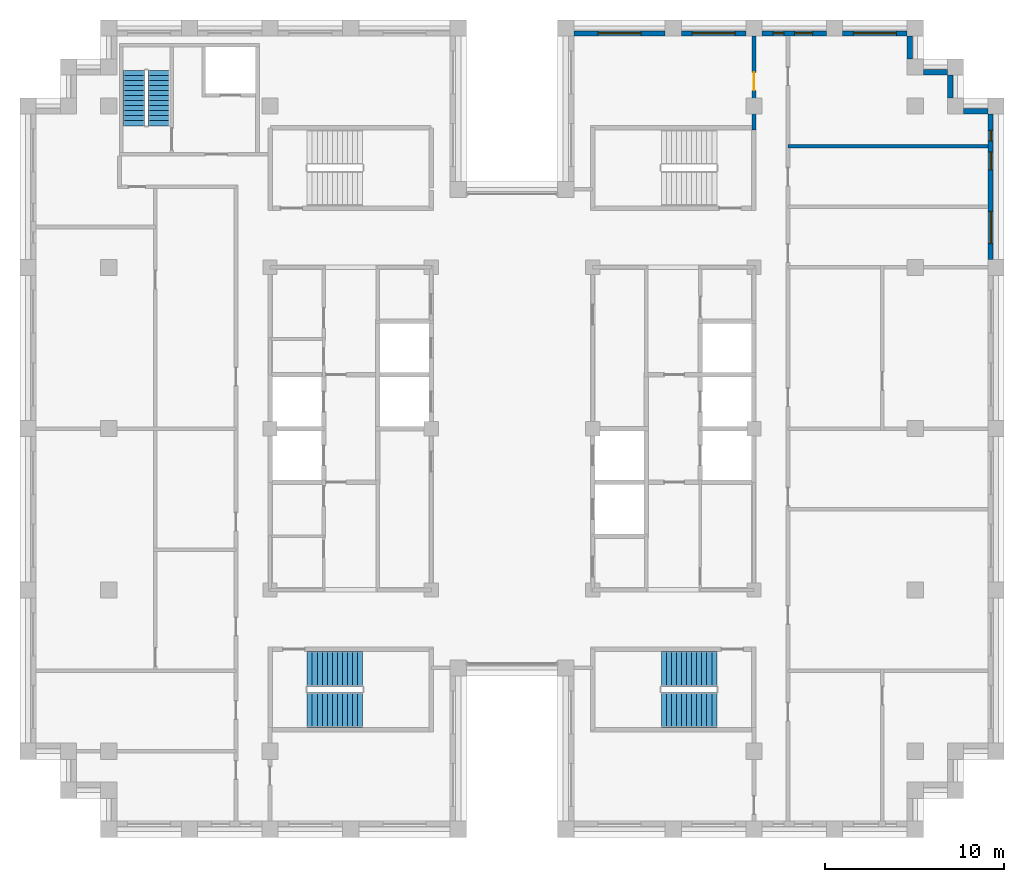
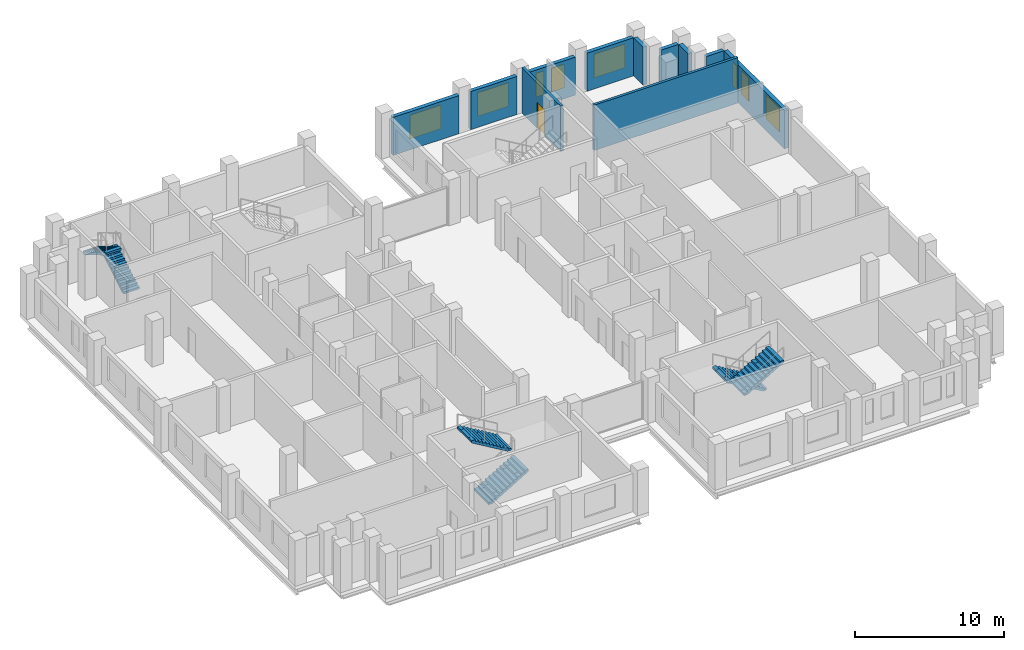
# One storey, part 11 of 13: 11 walls, 8 windows, 6 stair flights, 1 door, 9 openings, 3 elements without a shape of their own.
"""IFC4 building model written with IfcOpenShell, lengths in metres."""

from ifc_helpers import new_model, si_unit, direction, frame, frame_2d, origin, place, context, subcontext, project, spatial, polyline, rectangle, outline, extrude, material, layer, layer_set, type_object, element, fill, aggregate, save


model = new_model("IFC4")

# Units and contexts
model_context = context("Model", 3, precision=1e-05, world=origin(), true_north=direction((0.0, 1.0)))
body_context = subcontext(model_context, "Body", "Model", "MODEL_VIEW")
ifc_project = project(units=[si_unit("LENGTHUNIT", "METRE"), si_unit("AREAUNIT", "SQUARE_METRE"), si_unit("VOLUMEUNIT", "CUBIC_METRE"), si_unit("PLANEANGLEUNIT", "RADIAN"), si_unit("MASSUNIT", "GRAM", prefix="KILO")], contexts=[model_context])

# Site, building, storey
site_placement = place(None, origin())
site = spatial("IfcSite", under=ifc_project, at=site_placement, CompositionType="ELEMENT")
building_placement = place(site_placement, origin())
building = spatial("IfcBuilding", under=site, at=building_placement, Name="Corbelhall Arena Tower", CompositionType="ELEMENT")
storey_placement = place(building_placement, frame((0.0, 0.0, 262.0)))
storey = spatial("IfcBuildingStorey", under=building, at=storey_placement, Name="L56", CompositionType="ELEMENT", Elevation=262.0)

# Wall, openings, windows
ifc_material_1 = material(Name="Precast concrete C40/50 with granite facing", Category="masonry")
ifc_layer_1 = layer(ifc_material_1, 0.300048828125)
ifc_layer_set_1 = layer_set([ifc_layer_1], Name="EV-IW1 Infill panel 300")
wall_type_1 = type_object("IfcWallType", Name="EV-IW1 Infill panel 300", PredefinedType="SOLIDWALL", material=ifc_layer_set_1)
wall_1_placement = place(storey_placement, frame((26.699951171875, 9.449951171875, 0.0), z_axis=(0.0, 0.0, 1.0), x_axis=(0.0, 1.0, 0.0)))
wall_1 = element("IfcWall", 1, at=wall_1_placement, inside=storey, type_object=wall_type_1, Name="Infill panel IW1", PredefinedType="SOLIDWALL", context=body_context, shape_type="SweptSolid", body=[
    extrude(rectangle(XDim=8.10009765625, YDim=0.300048828125, at=frame_2d((4.050048828125, 0.0))), origin(), (0.0, 0.0, 1.0), 3.1201171875),
])
opening_1_placement = place(wall_1_placement, frame((0.875, 0.0, 0.800048828125)))
opening_1 = element("IfcOpeningElement", 2, at=opening_1_placement, cuts=wall_1, Name="Opening WN8", PredefinedType="OPENING", context=body_context, shape_type="SweptSolid", body=[
    extrude(rectangle(XDim=1.800048828125, YDim=1.949951171875, at=frame_2d((0.89990234375, 0.97509765625))), frame((0.0, 0.14990234375, 0.0), z_axis=(0.0, -1.0, 0.0), x_axis=(1.0, 0.0, 0.0)), (0.0, 0.0, 1.0), 0.300048828125),
])
opening_2_placement = place(wall_1_placement, frame((4.987548828125, 0.0, 0.800048828125)))
opening_2 = element("IfcOpeningElement", 3, at=opening_2_placement, cuts=wall_1, Name="Opening WN6", PredefinedType="OPENING", context=body_context, shape_type="SweptSolid", body=[
    extrude(rectangle(XDim=1.0, YDim=1.949951171875, at=frame_2d((0.5, 0.97509765625))), frame((0.0, 0.14990234375, 0.0), z_axis=(0.0, -1.0, 0.0), x_axis=(1.0, 0.0, 0.0)), (0.0, 0.0, 1.0), 0.300048828125),
])
opening_3_placement = place(wall_1_placement, frame((6.58740234375, 0.0, 0.800048828125)))
opening_3 = element("IfcOpeningElement", 4, at=opening_3_placement, cuts=wall_1, Name="Opening WN5", PredefinedType="OPENING", context=body_context, shape_type="SweptSolid", body=[
    extrude(rectangle(XDim=0.60009765625, YDim=1.949951171875, at=frame_2d((0.300048828125, 0.97509765625))), frame((0.0, 0.14990234375, 0.0), z_axis=(0.0, -1.0, 0.0), x_axis=(1.0, 0.0, 0.0)), (0.0, 0.0, 1.0), 0.300048828125),
])
ifc_material_2 = material(Name="Aluminium black anodised", Category="aluminium")
window_type_1 = type_object("IfcWindowType", Name="EV-WN5 Office window 600", PartitioningType="SINGLE_PANEL", PredefinedType="WINDOW", material=ifc_material_2)
window_1_placement = place(opening_3_placement, origin())
window_1 = element("IfcWindow", 5, at=window_1_placement, inside=storey, type_object=window_type_1, Name="Window WN5", OverallHeight=1.949951171875, OverallWidth=0.60009765625, PartitioningType="SINGLE_PANEL", PredefinedType="WINDOW", context=body_context, shape_type="SweptSolid", body=[
    extrude(rectangle(XDim=0.60009765625, YDim=1.949951171875, at=frame_2d((0.300048828125, 0.97509765625))), frame((0.0, 0.030029296875, 0.0), z_axis=(0.0, -1.0, 0.0), x_axis=(1.0, 0.0, 0.0)), (0.0, 0.0, 1.0), 0.06005859375),
])
fill(opening_3, window_1)
window_type_2 = type_object("IfcWindowType", Name="EV-WN6 Office window 1000", PartitioningType="SINGLE_PANEL", PredefinedType="WINDOW", material=ifc_material_2)
window_2_placement = place(opening_2_placement, origin())
window_2 = element("IfcWindow", 6, at=window_2_placement, inside=storey, type_object=window_type_2, Name="Window WN6", OverallHeight=1.949951171875, OverallWidth=1.0, PartitioningType="SINGLE_PANEL", PredefinedType="WINDOW", context=body_context, shape_type="SweptSolid", body=[
    extrude(rectangle(XDim=1.0, YDim=1.949951171875, at=frame_2d((0.5, 0.97509765625))), frame((0.0, 0.030029296875, 0.0), z_axis=(0.0, -1.0, 0.0), x_axis=(1.0, 0.0, 0.0)), (0.0, 0.0, 1.0), 0.06005859375),
])
fill(opening_2, window_2)
window_type_3 = type_object("IfcWindowType", Name="EV-WN8 Office window 1800", PartitioningType="SINGLE_PANEL", PredefinedType="WINDOW", material=ifc_material_2)
window_3_placement = place(opening_1_placement, origin())
window_3 = element("IfcWindow", 7, at=window_3_placement, inside=storey, type_object=window_type_3, Name="Window WN8", OverallHeight=1.949951171875, OverallWidth=1.800048828125, PartitioningType="SINGLE_PANEL", PredefinedType="WINDOW", context=body_context, shape_type="SweptSolid", body=[
    extrude(rectangle(XDim=1.800048828125, YDim=1.949951171875, at=frame_2d((0.89990234375, 0.97509765625))), frame((0.0, 0.030029296875, 0.0), z_axis=(0.0, -1.0, 0.0), x_axis=(1.0, 0.0, 0.0)), (0.0, 0.0, 1.0), 0.06005859375),
])
fill(opening_1, window_3)

# Walls
wall_2_placement = place(storey_placement, frame((26.550048828125, 17.699951171875, 0.0), z_axis=(0.0, 0.0, 1.0), x_axis=(-1.0, 0.0, 0.0)))
element("IfcWall", 8, at=wall_2_placement, inside=storey, type_object=wall_type_1, Name="Infill panel IW1", PredefinedType="SOLIDWALL", context=body_context, shape_type="SweptSolid", body=[
    extrude(rectangle(XDim=1.35009765625, YDim=0.300048828125, at=frame_2d((0.675048828125, 0.0))), origin(), (0.0, 0.0, 1.0), 3.1201171875),
])
wall_3_placement = place(storey_placement, frame((24.449951171875, 18.449951171875, 0.0), z_axis=(0.0, 0.0, 1.0), x_axis=(0.0, 1.0, 0.0)))
element("IfcWall", 9, at=wall_3_placement, inside=storey, type_object=wall_type_1, Name="Infill panel IW1", PredefinedType="SOLIDWALL", context=body_context, shape_type="SweptSolid", body=[
    extrude(rectangle(XDim=1.275146484375, YDim=0.300048828125, at=frame_2d((0.6376953125, 0.0))), origin(), (0.0, 0.0, 1.0), 3.1201171875),
])
wall_4_placement = place(storey_placement, frame((24.300048828125, 19.875, 0.0), z_axis=(0.0, 0.0, 1.0), x_axis=(-1.0, 0.0, 0.0)))
element("IfcWall", 10, at=wall_4_placement, inside=storey, type_object=wall_type_1, Name="Infill panel IW1", PredefinedType="SOLIDWALL", context=body_context, shape_type="SweptSolid", body=[
    extrude(rectangle(XDim=1.35009765625, YDim=0.300048828125, at=frame_2d((0.675048828125, 0.0))), origin(), (0.0, 0.0, 1.0), 3.1201171875),
])
wall_5_placement = place(storey_placement, frame((22.199951171875, 20.625, 0.0), z_axis=(0.0, 0.0, 1.0), x_axis=(0.0, 1.0, 0.0)))
element("IfcWall", 11, at=wall_5_placement, inside=storey, type_object=wall_type_1, Name="Infill panel IW1", PredefinedType="SOLIDWALL", context=body_context, shape_type="SweptSolid", body=[
    extrude(rectangle(XDim=1.27490234375, YDim=0.300048828125, at=frame_2d((0.637451171875, 0.0))), origin(), (0.0, 0.0, 1.0), 3.1201171875),
])

# Wall, opening, window
wall_6_placement = place(storey_placement, frame((22.050048828125, 22.050048828125, 0.0), z_axis=(0.0, 0.0, 1.0), x_axis=(-1.0, 0.0, 0.0)))
wall_6 = element("IfcWall", 12, at=wall_6_placement, inside=storey, type_object=wall_type_1, Name="Infill panel IW1", PredefinedType="SOLIDWALL", context=body_context, shape_type="SweptSolid", body=[
    extrude(rectangle(XDim=3.60009765625, YDim=0.300048828125, at=frame_2d((1.800048828125, 0.0))), origin(), (0.0, 0.0, 1.0), 3.1201171875),
])
opening_4_placement = place(wall_6_placement, frame((0.60009765625, 0.0, 0.800048828125)))
opening_4 = element("IfcOpeningElement", 13, at=opening_4_placement, cuts=wall_6, Name="Opening WN1", PredefinedType="OPENING", context=body_context, shape_type="SweptSolid", body=[
    extrude(rectangle(XDim=2.39990234375, YDim=1.949951171875, at=frame_2d((1.199951171875, 0.97509765625))), frame((0.0, 0.14990234375, 0.0), z_axis=(0.0, -1.0, 0.0), x_axis=(1.0, 0.0, 0.0)), (0.0, 0.0, 1.0), 0.300048828125),
])
window_type_4 = type_object("IfcWindowType", Name="EV-WN1 Office window", PartitioningType="SINGLE_PANEL", PredefinedType="WINDOW", material=ifc_material_2)
window_4_placement = place(opening_4_placement, origin())
window_4 = element("IfcWindow", 14, at=window_4_placement, inside=storey, type_object=window_type_4, Name="Window WN1", OverallHeight=1.949951171875, OverallWidth=2.39990234375, PartitioningType="SINGLE_PANEL", PredefinedType="WINDOW", context=body_context, shape_type="SweptSolid", body=[
    extrude(rectangle(XDim=2.39990234375, YDim=1.949951171875, at=frame_2d((1.199951171875, 0.97509765625))), frame((0.0, 0.030029296875, 0.0), z_axis=(0.0, -1.0, 0.0), x_axis=(1.0, 0.0, 0.0)), (0.0, 0.0, 1.0), 0.06005859375),
])
fill(opening_4, window_4)

# Wall, openings, windows
wall_7_placement = place(storey_placement, frame((17.550048828125, 22.050048828125, 0.0), z_axis=(0.0, 0.0, 1.0), x_axis=(-1.0, 0.0, 0.0)))
wall_7 = element("IfcWall", 15, at=wall_7_placement, inside=storey, type_object=wall_type_1, Name="Infill panel IW1", PredefinedType="SOLIDWALL", context=body_context, shape_type="SweptSolid", body=[
    extrude(rectangle(XDim=3.60009765625, YDim=0.300048828125, at=frame_2d((1.800048828125, 0.0))), origin(), (0.0, 0.0, 1.0), 3.1201171875),
])
opening_5_placement = place(wall_7_placement, frame((0.77490234375, 0.0, 0.800048828125)))
opening_5 = element("IfcOpeningElement", 16, at=opening_5_placement, cuts=wall_7, Name="Opening WN6", PredefinedType="OPENING", context=body_context, shape_type="SweptSolid", body=[
    extrude(rectangle(XDim=1.0, YDim=1.949951171875, at=frame_2d((0.5, 0.97509765625))), frame((0.0, 0.14990234375, 0.0), z_axis=(0.0, -1.0, 0.0), x_axis=(1.0, 0.0, 0.0)), (0.0, 0.0, 1.0), 0.300048828125),
])
opening_6_placement = place(wall_7_placement, frame((2.375, 0.0, 0.800048828125)))
opening_6 = element("IfcOpeningElement", 17, at=opening_6_placement, cuts=wall_7, Name="Opening WN5", PredefinedType="OPENING", context=body_context, shape_type="SweptSolid", body=[
    extrude(rectangle(XDim=0.60009765625, YDim=1.949951171875, at=frame_2d((0.300048828125, 0.97509765625))), frame((0.0, 0.14990234375, 0.0), z_axis=(0.0, -1.0, 0.0), x_axis=(1.0, 0.0, 0.0)), (0.0, 0.0, 1.0), 0.300048828125),
])
window_5_placement = place(opening_6_placement, origin())
window_5 = element("IfcWindow", 18, at=window_5_placement, inside=storey, type_object=window_type_1, Name="Window WN5", OverallHeight=1.949951171875, OverallWidth=0.60009765625, PartitioningType="SINGLE_PANEL", PredefinedType="WINDOW", context=body_context, shape_type="SweptSolid", body=[
    extrude(rectangle(XDim=0.60009765625, YDim=1.949951171875, at=frame_2d((0.300048828125, 0.97509765625))), frame((0.0, 0.030029296875, 0.0), z_axis=(0.0, -1.0, 0.0), x_axis=(1.0, 0.0, 0.0)), (0.0, 0.0, 1.0), 0.06005859375),
])
fill(opening_6, window_5)
window_6_placement = place(opening_5_placement, origin())
window_6 = element("IfcWindow", 19, at=window_6_placement, inside=storey, type_object=window_type_2, Name="Window WN6", OverallHeight=1.949951171875, OverallWidth=1.0, PartitioningType="SINGLE_PANEL", PredefinedType="WINDOW", context=body_context, shape_type="SweptSolid", body=[
    extrude(rectangle(XDim=1.0, YDim=1.949951171875, at=frame_2d((0.5, 0.97509765625))), frame((0.0, 0.030029296875, 0.0), z_axis=(0.0, -1.0, 0.0), x_axis=(1.0, 0.0, 0.0)), (0.0, 0.0, 1.0), 0.06005859375),
])
fill(opening_5, window_6)

# Wall, opening, window
wall_8_placement = place(storey_placement, frame((13.050048828125, 22.050048828125, 0.0), z_axis=(0.0, 0.0, 1.0), x_axis=(-1.0, 0.0, 0.0)))
wall_8 = element("IfcWall", 20, at=wall_8_placement, inside=storey, type_object=wall_type_1, Name="Infill panel IW1", PredefinedType="SOLIDWALL", context=body_context, shape_type="SweptSolid", body=[
    extrude(rectangle(XDim=3.60009765625, YDim=0.300048828125, at=frame_2d((1.800048828125, 0.0))), origin(), (0.0, 0.0, 1.0), 3.1201171875),
])
opening_7_placement = place(wall_8_placement, frame((0.60009765625, 0.0, 0.800048828125)))
opening_7 = element("IfcOpeningElement", 21, at=opening_7_placement, cuts=wall_8, Name="Opening WN1", PredefinedType="OPENING", context=body_context, shape_type="SweptSolid", body=[
    extrude(rectangle(XDim=2.39990234375, YDim=1.949951171875, at=frame_2d((1.199951171875, 0.97509765625))), frame((0.0, 0.14990234375, 0.0), z_axis=(0.0, -1.0, 0.0), x_axis=(1.0, 0.0, 0.0)), (0.0, 0.0, 1.0), 0.300048828125),
])
window_7_placement = place(opening_7_placement, origin())
window_7 = element("IfcWindow", 22, at=window_7_placement, inside=storey, type_object=window_type_4, Name="Window WN1", OverallHeight=1.949951171875, OverallWidth=2.39990234375, PartitioningType="SINGLE_PANEL", PredefinedType="WINDOW", context=body_context, shape_type="SweptSolid", body=[
    extrude(rectangle(XDim=2.39990234375, YDim=1.949951171875, at=frame_2d((1.199951171875, 0.97509765625))), frame((0.0, 0.030029296875, 0.0), z_axis=(0.0, -1.0, 0.0), x_axis=(1.0, 0.0, 0.0)), (0.0, 0.0, 1.0), 0.06005859375),
])
fill(opening_7, window_7)

wall_9_placement = place(storey_placement, frame((8.550048828125, 22.050048828125, 0.0), z_axis=(0.0, 0.0, 1.0), x_axis=(-1.0, 0.0, 0.0)))
wall_9 = element("IfcWall", 23, at=wall_9_placement, inside=storey, type_object=wall_type_1, Name="Infill panel IW1", PredefinedType="SOLIDWALL", context=body_context, shape_type="SweptSolid", body=[
    extrude(rectangle(XDim=5.10009765625, YDim=0.300048828125, at=frame_2d((2.550048828125, 0.0))), origin(), (0.0, 0.0, 1.0), 3.1201171875),
])
opening_8_placement = place(wall_9_placement, frame((1.35009765625, 0.0, 0.800048828125)))
opening_8 = element("IfcOpeningElement", 24, at=opening_8_placement, cuts=wall_9, Name="Opening WN1", PredefinedType="OPENING", context=body_context, shape_type="SweptSolid", body=[
    extrude(rectangle(XDim=2.39990234375, YDim=1.949951171875, at=frame_2d((1.199951171875, 0.97509765625))), frame((0.0, 0.14990234375, 0.0), z_axis=(0.0, -1.0, 0.0), x_axis=(1.0, 0.0, 0.0)), (0.0, 0.0, 1.0), 0.300048828125),
])
window_8_placement = place(opening_8_placement, origin())
window_8 = element("IfcWindow", 25, at=window_8_placement, inside=storey, type_object=window_type_4, Name="Window WN1", OverallHeight=1.949951171875, OverallWidth=2.39990234375, PartitioningType="SINGLE_PANEL", PredefinedType="WINDOW", context=body_context, shape_type="SweptSolid", body=[
    extrude(rectangle(XDim=2.39990234375, YDim=1.949951171875, at=frame_2d((1.199951171875, 0.97509765625))), frame((0.0, 0.030029296875, 0.0), z_axis=(0.0, -1.0, 0.0), x_axis=(1.0, 0.0, 0.0)), (0.0, 0.0, 1.0), 0.06005859375),
])
fill(opening_8, window_8)

# Wall, opening, door
ifc_material_3 = material(Name="Gypsum board on steel stud, acoustic", Category="steel")
ifc_layer_2 = layer(ifc_material_3, 0.199951171875)
ifc_layer_set_2 = layer_set([ifc_layer_2], Name="IN-W-DM200")
wall_type_2 = type_object("IfcWallType", Name="IN-W-DM200", PredefinedType="PARTITIONING", material=ifc_layer_set_2)
wall_10_placement = place(storey_placement, frame((13.5, 16.675048828125, 0.0), z_axis=(0.0, 0.0, 1.0), x_axis=(0.0, 1.0, 0.0)))
wall_10 = element("IfcWall", 26, at=wall_10_placement, inside=storey, type_object=wall_type_2, Name="Partition 015", PredefinedType="PARTITIONING", context=body_context, shape_type="SweptSolid", body=[
    extrude(rectangle(XDim=5.224853515625, YDim=0.199951171875, at=frame_2d((2.6123046875, 0.0))), origin(), (0.0, 0.0, 1.0), 3.719970703125),
])
opening_9_placement = place(wall_10_placement, frame((2.199951171875, 0.0, 0.0)))
opening_9 = element("IfcOpeningElement", 27, at=opening_9_placement, cuts=wall_10, Name="Opening 17019", PredefinedType="OPENING", context=body_context, shape_type="SweptSolid", body=[
    extrude(rectangle(XDim=1.0, YDim=2.10009765625, at=frame_2d((0.5, 1.050048828125))), frame((0.0, 0.10009765625, 0.0), z_axis=(0.0, -1.0, 0.0), x_axis=(1.0, 0.0, 0.0)), (0.0, 0.0, 1.0), 0.199951171875),
])
ifc_material_4 = material(Name="Steel door set", Category="steel")
door_type = type_object("IfcDoorType", Name="IN-D-SW100", OperationType="NOTDEFINED", PredefinedType="DOOR", material=ifc_material_4)
door_placement = place(opening_9_placement, origin())
door = element("IfcDoor", 28, at=door_placement, inside=storey, type_object=door_type, Name="Door 019", OperationType="SINGLE_SWING_RIGHT", OverallHeight=2.10009765625, OverallWidth=1.0, PredefinedType="DOOR", context=body_context, shape_type="SweptSolid", body=[
    extrude(rectangle(XDim=1.0, YDim=2.10009765625, at=frame_2d((0.5, 1.050048828125))), frame((0.0, 0.02490234375, 0.0), z_axis=(0.0, -1.0, 0.0), x_axis=(1.0, 0.0, 0.0)), (0.0, 0.0, 1.0), 0.050048828125),
])
fill(opening_9, door)

# Wall
wall_11_placement = place(storey_placement, frame((15.39990234375, 15.75, 0.0), z_axis=(0.0, 0.0, 1.0), x_axis=(1.0, 0.0, 0.0)))
element("IfcWall", 29, at=wall_11_placement, inside=storey, type_object=wall_type_2, Name="Partition 021", PredefinedType="PARTITIONING", context=body_context, shape_type="SweptSolid", body=[
    extrude(rectangle(XDim=11.150146484375, YDim=0.199951171875, at=frame_2d((5.5751953125, 0.0))), origin(), (0.0, 0.0, 1.0), 3.719970703125),
])

# Stair, stair flights
ifc_material_5 = material(Name="Concrete C40/50", Category="concrete")
stair_type = type_object("IfcStairType", Name="IN-ST-TOWER", PredefinedType="HALF_TURN_STAIR", material=ifc_material_5)
stair_1_placement = place(storey_placement, origin())
stair_1 = element("IfcStair", 30, at=stair_1_placement, inside=storey, type_object=stair_type, Name="L56 Exit stair ST2", PredefinedType="HALF_TURN_STAIR")
stair_flight_type = type_object("IfcStairFlightType", Name="IN-SFL-RC", PredefinedType="STRAIGHT", material=ifc_material_5)
stair_flight_1_placement = place(storey_placement, frame((-11.425048828125, -15.699951171875, 0.0), z_axis=(0.0, 0.0, 1.0), x_axis=(1.0, 0.0, 0.0)))
stair_flight_1 = element("IfcStairFlight", 31, at=stair_flight_1_placement, type_object=stair_flight_type, Name="ST2 flight 1", NumberOfRisers=12, NumberOfTreads=11, PredefinedType="STRAIGHT", RiserHeight=0.166666667, TreadLength=0.28, context=body_context, shape_type="SweptSolid", body=[
    extrude(outline(polyline([(0.0, 0.0), (0.0, 0.166748046875), (0.280029296875, 0.166748046875), (0.280029296875, 0.333251953125), (0.56005859375, 0.333251953125), (0.56005859375, 0.5), (0.840087890625, 0.5), (0.840087890625, 0.666748046875), (1.1201171875, 0.666748046875), (1.1201171875, 0.833251953125), (1.39990234375, 0.833251953125), (1.39990234375, 1.0), (1.679931640625, 1.0), (1.679931640625, 1.166748046875), (1.9599609375, 1.166748046875), (1.9599609375, 1.333251953125), (2.239990234375, 1.333251953125), (2.239990234375, 1.5), (2.52001953125, 1.5), (2.52001953125, 1.666748046875), (2.800048828125, 1.666748046875), (2.800048828125, 1.833251953125), (3.080078125, 1.833251953125), (3.080078125, 2.0), (3.080078125, 1.658935546875), (0.29296875, 0.0), (0.0, 0.0)])), frame((0.0, 0.97509765625, 0.0), z_axis=(0.0, -1.0, 0.0), x_axis=(1.0, 0.0, 0.0)), (0.0, 0.0, 1.0), 0.449951171875),
    extrude(outline(polyline([(0.0, 0.0), (0.0, 0.166748046875), (0.280029296875, 0.166748046875), (0.280029296875, 0.333251953125), (0.56005859375, 0.333251953125), (0.56005859375, 0.5), (0.840087890625, 0.5), (0.840087890625, 0.666748046875), (1.1201171875, 0.666748046875), (1.1201171875, 0.833251953125), (1.39990234375, 0.833251953125), (1.39990234375, 1.0), (1.679931640625, 1.0), (1.679931640625, 1.166748046875), (1.9599609375, 1.166748046875), (1.9599609375, 1.333251953125), (2.239990234375, 1.333251953125), (2.239990234375, 1.5), (2.52001953125, 1.5), (2.52001953125, 1.666748046875), (2.800048828125, 1.666748046875), (2.800048828125, 1.833251953125), (3.080078125, 1.833251953125), (3.080078125, 2.0), (3.080078125, 1.658935546875), (0.29296875, 0.0), (0.0, 0.0)])), frame((0.0, 0.52099609375, 0.0), z_axis=(0.0, -1.0, 0.0), x_axis=(1.0, 0.0, 0.0)), (0.0, 0.0, 1.0), 1.0419921875),
    extrude(outline(polyline([(0.0, 0.0), (0.0, 0.166748046875), (0.280029296875, 0.166748046875), (0.280029296875, 0.333251953125), (0.56005859375, 0.333251953125), (0.56005859375, 0.5), (0.840087890625, 0.5), (0.840087890625, 0.666748046875), (1.1201171875, 0.666748046875), (1.1201171875, 0.833251953125), (1.39990234375, 0.833251953125), (1.39990234375, 1.0), (1.679931640625, 1.0), (1.679931640625, 1.166748046875), (1.9599609375, 1.166748046875), (1.9599609375, 1.333251953125), (2.239990234375, 1.333251953125), (2.239990234375, 1.5), (2.52001953125, 1.5), (2.52001953125, 1.666748046875), (2.800048828125, 1.666748046875), (2.800048828125, 1.833251953125), (3.080078125, 1.833251953125), (3.080078125, 2.0), (3.080078125, 1.658935546875), (0.29296875, 0.0), (0.0, 0.0)])), frame((0.0, -0.52490234375, 0.0), z_axis=(0.0, -1.0, 0.0), x_axis=(1.0, 0.0, 0.0)), (0.0, 0.0, 1.0), 0.449951171875),
])
stair_flight_2_placement = place(storey_placement, frame((-8.344970703125, -13.39990234375, 2.0), z_axis=(0.0, 0.0, 1.0), x_axis=(-1.0, 0.0, 0.0)))
stair_flight_2 = element("IfcStairFlight", 32, at=stair_flight_2_placement, type_object=stair_flight_type, Name="ST2 flight 2", NumberOfRisers=12, NumberOfTreads=11, PredefinedType="STRAIGHT", RiserHeight=0.166666667, TreadLength=0.28, context=body_context, shape_type="SweptSolid", body=[
    extrude(outline(polyline([(0.0, 0.0), (0.0, 0.166748046875), (0.280029296875, 0.166748046875), (0.280029296875, 0.333251953125), (0.56005859375, 0.333251953125), (0.56005859375, 0.5), (0.840087890625, 0.5), (0.840087890625, 0.666748046875), (1.1201171875, 0.666748046875), (1.1201171875, 0.833251953125), (1.39990234375, 0.833251953125), (1.39990234375, 1.0), (1.679931640625, 1.0), (1.679931640625, 1.166748046875), (1.9599609375, 1.166748046875), (1.9599609375, 1.333251953125), (2.239990234375, 1.333251953125), (2.239990234375, 1.5), (2.52001953125, 1.5), (2.52001953125, 1.666748046875), (2.800048828125, 1.666748046875), (2.800048828125, 1.833251953125), (3.080078125, 1.833251953125), (3.080078125, 2.0), (3.080078125, 1.658935546875), (0.29296875, 0.0), (0.0, 0.0)])), frame((0.0, 0.97509765625, 0.0), z_axis=(0.0, -1.0, 0.0), x_axis=(1.0, 0.0, 0.0)), (0.0, 0.0, 1.0), 0.449951171875),
    extrude(outline(polyline([(0.0, 0.0), (0.0, 0.166748046875), (0.280029296875, 0.166748046875), (0.280029296875, 0.333251953125), (0.56005859375, 0.333251953125), (0.56005859375, 0.5), (0.840087890625, 0.5), (0.840087890625, 0.666748046875), (1.1201171875, 0.666748046875), (1.1201171875, 0.833251953125), (1.39990234375, 0.833251953125), (1.39990234375, 1.0), (1.679931640625, 1.0), (1.679931640625, 1.166748046875), (1.9599609375, 1.166748046875), (1.9599609375, 1.333251953125), (2.239990234375, 1.333251953125), (2.239990234375, 1.5), (2.52001953125, 1.5), (2.52001953125, 1.666748046875), (2.800048828125, 1.666748046875), (2.800048828125, 1.833251953125), (3.080078125, 1.833251953125), (3.080078125, 2.0), (3.080078125, 1.658935546875), (0.29296875, 0.0), (0.0, 0.0)])), frame((0.0, 0.52099609375, 0.0), z_axis=(0.0, -1.0, 0.0), x_axis=(1.0, 0.0, 0.0)), (0.0, 0.0, 1.0), 1.0419921875),
    extrude(outline(polyline([(0.0, 0.0), (0.0, 0.166748046875), (0.280029296875, 0.166748046875), (0.280029296875, 0.333251953125), (0.56005859375, 0.333251953125), (0.56005859375, 0.5), (0.840087890625, 0.5), (0.840087890625, 0.666748046875), (1.1201171875, 0.666748046875), (1.1201171875, 0.833251953125), (1.39990234375, 0.833251953125), (1.39990234375, 1.0), (1.679931640625, 1.0), (1.679931640625, 1.166748046875), (1.9599609375, 1.166748046875), (1.9599609375, 1.333251953125), (2.239990234375, 1.333251953125), (2.239990234375, 1.5), (2.52001953125, 1.5), (2.52001953125, 1.666748046875), (2.800048828125, 1.666748046875), (2.800048828125, 1.833251953125), (3.080078125, 1.833251953125), (3.080078125, 2.0), (3.080078125, 1.658935546875), (0.29296875, 0.0), (0.0, 0.0)])), frame((0.0, -0.52490234375, 0.0), z_axis=(0.0, -1.0, 0.0), x_axis=(1.0, 0.0, 0.0)), (0.0, 0.0, 1.0), 0.449951171875),
])
aggregate(stair_1, [stair_flight_1, stair_flight_2])

stair_2_placement = place(storey_placement, origin())
stair_2 = element("IfcStair", 33, at=stair_2_placement, inside=storey, type_object=stair_type, Name="L56 Exit stair ST4", PredefinedType="HALF_TURN_STAIR")
stair_flight_3_placement = place(storey_placement, frame((11.425048828125, -13.39990234375, 0.0), z_axis=(0.0, 0.0, 1.0), x_axis=(-1.0, 0.0, 0.0)))
stair_flight_3 = element("IfcStairFlight", 34, at=stair_flight_3_placement, type_object=stair_flight_type, Name="ST4 flight 1", NumberOfRisers=12, NumberOfTreads=11, PredefinedType="STRAIGHT", RiserHeight=0.166666667, TreadLength=0.28, context=body_context, shape_type="SweptSolid", body=[
    extrude(outline(polyline([(0.0, 0.0), (0.0, 0.166748046875), (0.280029296875, 0.166748046875), (0.280029296875, 0.333251953125), (0.56005859375, 0.333251953125), (0.56005859375, 0.5), (0.840087890625, 0.5), (0.840087890625, 0.666748046875), (1.1201171875, 0.666748046875), (1.1201171875, 0.833251953125), (1.39990234375, 0.833251953125), (1.39990234375, 1.0), (1.679931640625, 1.0), (1.679931640625, 1.166748046875), (1.9599609375, 1.166748046875), (1.9599609375, 1.333251953125), (2.239990234375, 1.333251953125), (2.239990234375, 1.5), (2.52001953125, 1.5), (2.52001953125, 1.666748046875), (2.800048828125, 1.666748046875), (2.800048828125, 1.833251953125), (3.080078125, 1.833251953125), (3.080078125, 2.0), (3.080078125, 1.658935546875), (0.29296875, 0.0), (0.0, 0.0)])), frame((0.0, 0.97509765625, 0.0), z_axis=(0.0, -1.0, 0.0), x_axis=(1.0, 0.0, 0.0)), (0.0, 0.0, 1.0), 0.449951171875),
    extrude(outline(polyline([(0.0, 0.0), (0.0, 0.166748046875), (0.280029296875, 0.166748046875), (0.280029296875, 0.333251953125), (0.56005859375, 0.333251953125), (0.56005859375, 0.5), (0.840087890625, 0.5), (0.840087890625, 0.666748046875), (1.1201171875, 0.666748046875), (1.1201171875, 0.833251953125), (1.39990234375, 0.833251953125), (1.39990234375, 1.0), (1.679931640625, 1.0), (1.679931640625, 1.166748046875), (1.9599609375, 1.166748046875), (1.9599609375, 1.333251953125), (2.239990234375, 1.333251953125), (2.239990234375, 1.5), (2.52001953125, 1.5), (2.52001953125, 1.666748046875), (2.800048828125, 1.666748046875), (2.800048828125, 1.833251953125), (3.080078125, 1.833251953125), (3.080078125, 2.0), (3.080078125, 1.658935546875), (0.29296875, 0.0), (0.0, 0.0)])), frame((0.0, 0.52099609375, 0.0), z_axis=(0.0, -1.0, 0.0), x_axis=(1.0, 0.0, 0.0)), (0.0, 0.0, 1.0), 1.0419921875),
    extrude(outline(polyline([(0.0, 0.0), (0.0, 0.166748046875), (0.280029296875, 0.166748046875), (0.280029296875, 0.333251953125), (0.56005859375, 0.333251953125), (0.56005859375, 0.5), (0.840087890625, 0.5), (0.840087890625, 0.666748046875), (1.1201171875, 0.666748046875), (1.1201171875, 0.833251953125), (1.39990234375, 0.833251953125), (1.39990234375, 1.0), (1.679931640625, 1.0), (1.679931640625, 1.166748046875), (1.9599609375, 1.166748046875), (1.9599609375, 1.333251953125), (2.239990234375, 1.333251953125), (2.239990234375, 1.5), (2.52001953125, 1.5), (2.52001953125, 1.666748046875), (2.800048828125, 1.666748046875), (2.800048828125, 1.833251953125), (3.080078125, 1.833251953125), (3.080078125, 2.0), (3.080078125, 1.658935546875), (0.29296875, 0.0), (0.0, 0.0)])), frame((0.0, -0.52490234375, 0.0), z_axis=(0.0, -1.0, 0.0), x_axis=(1.0, 0.0, 0.0)), (0.0, 0.0, 1.0), 0.449951171875),
])
stair_flight_4_placement = place(storey_placement, frame((8.344970703125, -15.699951171875, 2.0), z_axis=(0.0, 0.0, 1.0), x_axis=(1.0, 0.0, 0.0)))
stair_flight_4 = element("IfcStairFlight", 35, at=stair_flight_4_placement, type_object=stair_flight_type, Name="ST4 flight 2", NumberOfRisers=12, NumberOfTreads=11, PredefinedType="STRAIGHT", RiserHeight=0.166666667, TreadLength=0.28, context=body_context, shape_type="SweptSolid", body=[
    extrude(outline(polyline([(0.0, 0.0), (0.0, 0.166748046875), (0.280029296875, 0.166748046875), (0.280029296875, 0.333251953125), (0.56005859375, 0.333251953125), (0.56005859375, 0.5), (0.840087890625, 0.5), (0.840087890625, 0.666748046875), (1.1201171875, 0.666748046875), (1.1201171875, 0.833251953125), (1.39990234375, 0.833251953125), (1.39990234375, 1.0), (1.679931640625, 1.0), (1.679931640625, 1.166748046875), (1.9599609375, 1.166748046875), (1.9599609375, 1.333251953125), (2.239990234375, 1.333251953125), (2.239990234375, 1.5), (2.52001953125, 1.5), (2.52001953125, 1.666748046875), (2.800048828125, 1.666748046875), (2.800048828125, 1.833251953125), (3.080078125, 1.833251953125), (3.080078125, 2.0), (3.080078125, 1.658935546875), (0.29296875, 0.0), (0.0, 0.0)])), frame((0.0, 0.97509765625, 0.0), z_axis=(0.0, -1.0, 0.0), x_axis=(1.0, 0.0, 0.0)), (0.0, 0.0, 1.0), 0.449951171875),
    extrude(outline(polyline([(0.0, 0.0), (0.0, 0.166748046875), (0.280029296875, 0.166748046875), (0.280029296875, 0.333251953125), (0.56005859375, 0.333251953125), (0.56005859375, 0.5), (0.840087890625, 0.5), (0.840087890625, 0.666748046875), (1.1201171875, 0.666748046875), (1.1201171875, 0.833251953125), (1.39990234375, 0.833251953125), (1.39990234375, 1.0), (1.679931640625, 1.0), (1.679931640625, 1.166748046875), (1.9599609375, 1.166748046875), (1.9599609375, 1.333251953125), (2.239990234375, 1.333251953125), (2.239990234375, 1.5), (2.52001953125, 1.5), (2.52001953125, 1.666748046875), (2.800048828125, 1.666748046875), (2.800048828125, 1.833251953125), (3.080078125, 1.833251953125), (3.080078125, 2.0), (3.080078125, 1.658935546875), (0.29296875, 0.0), (0.0, 0.0)])), frame((0.0, 0.52099609375, 0.0), z_axis=(0.0, -1.0, 0.0), x_axis=(1.0, 0.0, 0.0)), (0.0, 0.0, 1.0), 1.0419921875),
    extrude(outline(polyline([(0.0, 0.0), (0.0, 0.166748046875), (0.280029296875, 0.166748046875), (0.280029296875, 0.333251953125), (0.56005859375, 0.333251953125), (0.56005859375, 0.5), (0.840087890625, 0.5), (0.840087890625, 0.666748046875), (1.1201171875, 0.666748046875), (1.1201171875, 0.833251953125), (1.39990234375, 0.833251953125), (1.39990234375, 1.0), (1.679931640625, 1.0), (1.679931640625, 1.166748046875), (1.9599609375, 1.166748046875), (1.9599609375, 1.333251953125), (2.239990234375, 1.333251953125), (2.239990234375, 1.5), (2.52001953125, 1.5), (2.52001953125, 1.666748046875), (2.800048828125, 1.666748046875), (2.800048828125, 1.833251953125), (3.080078125, 1.833251953125), (3.080078125, 2.0), (3.080078125, 1.658935546875), (0.29296875, 0.0), (0.0, 0.0)])), frame((0.0, -0.52490234375, 0.0), z_axis=(0.0, -1.0, 0.0), x_axis=(1.0, 0.0, 0.0)), (0.0, 0.0, 1.0), 0.449951171875),
])
aggregate(stair_2, [stair_flight_3, stair_flight_4])

stair_3_placement = place(storey_placement, origin())
stair_3 = element("IfcStair", 36, at=stair_3_placement, inside=storey, type_object=stair_type, Name="L56 Exit stair ST5", PredefinedType="HALF_TURN_STAIR")
stair_flight_5_placement = place(storey_placement, frame((-19.695068359375, 16.89990234375, 0.0), z_axis=(0.0, 0.0, 1.0), x_axis=(0.0, 1.0, 0.0)))
stair_flight_5 = element("IfcStairFlight", 37, at=stair_flight_5_placement, type_object=stair_flight_type, Name="ST5 flight 1", NumberOfRisers=12, NumberOfTreads=11, PredefinedType="STRAIGHT", RiserHeight=0.166666667, TreadLength=0.28, context=body_context, shape_type="SweptSolid", body=[
    extrude(outline(polyline([(0.0, 0.0), (0.0, 0.166748046875), (0.280029296875, 0.166748046875), (0.280029296875, 0.333251953125), (0.56005859375, 0.333251953125), (0.56005859375, 0.5), (0.840087890625, 0.5), (0.840087890625, 0.666748046875), (1.1201171875, 0.666748046875), (1.1201171875, 0.833251953125), (1.39990234375, 0.833251953125), (1.39990234375, 1.0), (1.679931640625, 1.0), (1.679931640625, 1.166748046875), (1.9599609375, 1.166748046875), (1.9599609375, 1.333251953125), (2.239990234375, 1.333251953125), (2.239990234375, 1.5), (2.52001953125, 1.5), (2.52001953125, 1.666748046875), (2.800048828125, 1.666748046875), (2.800048828125, 1.833251953125), (3.080078125, 1.833251953125), (3.080078125, 2.0), (3.080078125, 1.658935546875), (0.29296875, 0.0), (0.0, 0.0)])), frame((0.0, 0.60009765625, 0.0), z_axis=(0.0, -1.0, 0.0), x_axis=(1.0, 0.0, 0.0)), (0.0, 0.0, 1.0), 1.199951171875),
])
stair_flight_6_placement = place(storey_placement, frame((-21.094970703125, 19.97998046875, 2.0), z_axis=(0.0, 0.0, 1.0), x_axis=(0.0, -1.0, 0.0)))
stair_flight_6 = element("IfcStairFlight", 38, at=stair_flight_6_placement, type_object=stair_flight_type, Name="ST5 flight 2", NumberOfRisers=12, NumberOfTreads=11, PredefinedType="STRAIGHT", RiserHeight=0.166666667, TreadLength=0.28, context=body_context, shape_type="SweptSolid", body=[
    extrude(outline(polyline([(0.0, 0.0), (0.0, 0.166748046875), (0.280029296875, 0.166748046875), (0.280029296875, 0.333251953125), (0.56005859375, 0.333251953125), (0.56005859375, 0.5), (0.840087890625, 0.5), (0.840087890625, 0.666748046875), (1.1201171875, 0.666748046875), (1.1201171875, 0.833251953125), (1.39990234375, 0.833251953125), (1.39990234375, 1.0), (1.679931640625, 1.0), (1.679931640625, 1.166748046875), (1.9599609375, 1.166748046875), (1.9599609375, 1.333251953125), (2.239990234375, 1.333251953125), (2.239990234375, 1.5), (2.52001953125, 1.5), (2.52001953125, 1.666748046875), (2.800048828125, 1.666748046875), (2.800048828125, 1.833251953125), (3.080078125, 1.833251953125), (3.080078125, 2.0), (3.080078125, 1.658935546875), (0.29296875, 0.0), (0.0, 0.0)])), frame((0.0, 0.60009765625, 0.0), z_axis=(0.0, -1.0, 0.0), x_axis=(1.0, 0.0, 0.0)), (0.0, 0.0, 1.0), 1.199951171875),
])
aggregate(stair_3, [stair_flight_5, stair_flight_6])

save(model, "model.ifc")
